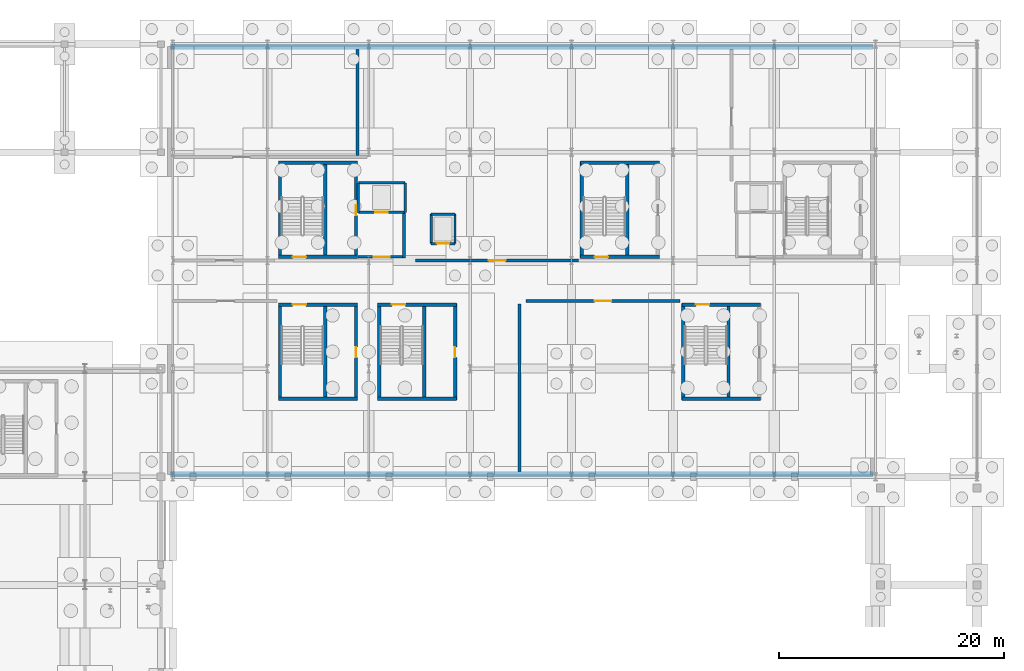
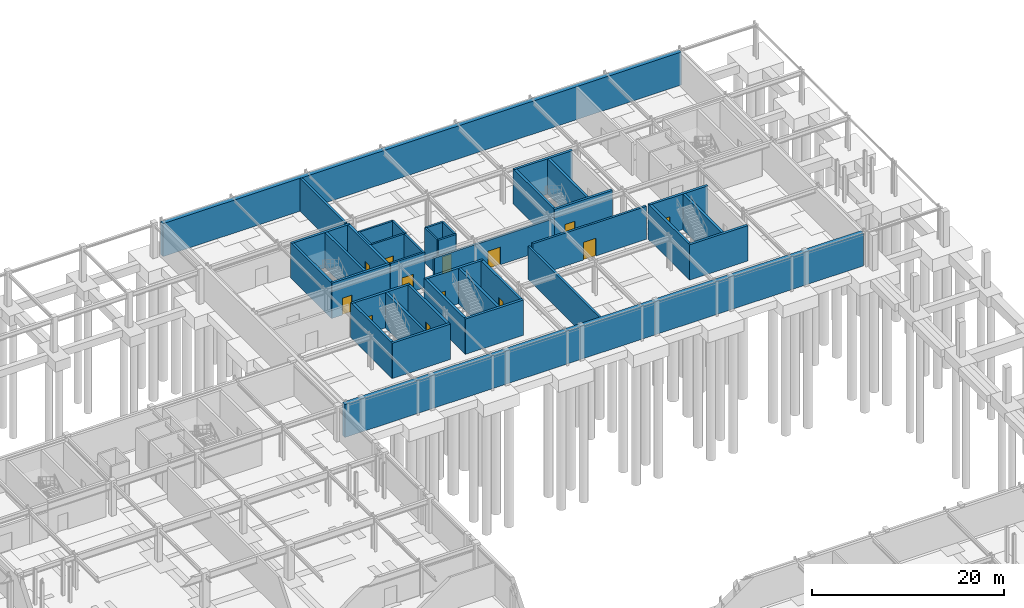
# One storey, part 45 of 59: 39 walls, 13 doors, 13 openings.
"""IFC4 building model written with IfcOpenShell, lengths in metres."""

from ifc_helpers import new_model, si_unit, direction, frame, frame_2d, origin, place, context, subcontext, project, spatial, rectangle, extrude, material, layer, layer_set, type_object, element, fill, save


model = new_model("IFC4")

# Units and contexts
model_context = context("Model", 3, precision=1e-05, world=origin(), true_north=direction((0.0, 1.0)))
body_context = subcontext(model_context, "Body", "Model", "MODEL_VIEW")
ifc_project = project(units=[si_unit("LENGTHUNIT", "METRE"), si_unit("AREAUNIT", "SQUARE_METRE"), si_unit("VOLUMEUNIT", "CUBIC_METRE"), si_unit("PLANEANGLEUNIT", "RADIAN"), si_unit("MASSUNIT", "GRAM", prefix="KILO")], contexts=[model_context])

# Site, building, storey
site_placement = place(None, origin())
site = spatial("IfcSite", under=ifc_project, at=site_placement, CompositionType="ELEMENT")
building_placement = place(site_placement, origin())
building = spatial("IfcBuilding", under=site, at=building_placement, Name="Myrtia Square Station", CompositionType="ELEMENT")
storey_placement = place(building_placement, frame((0.0, 0.0, -4.5)))
storey = spatial("IfcBuildingStorey", under=building, at=storey_placement, Name="B01", CompositionType="ELEMENT", Elevation=-4.5)

# Wall, opening, door
ifc_material_1 = material(Name="Concrete C35/45", Category="concrete")
ifc_layer_1 = layer(ifc_material_1, 0.300048828125, Name="Concrete C35/45")
ifc_layer_set_1 = layer_set([ifc_layer_1], Name="Concrete C35/45")
wall_type_1 = type_object("IfcWallType", Name="WL-CORE-300", PredefinedType="SHEAR", material=ifc_layer_set_1)
wall_1_placement = place(storey_placement, frame((127.0, 105.925048828125, 0.0), z_axis=(0.0, 0.0, 1.0), x_axis=(1.0, 0.0, 0.0)))
wall_1 = element("IfcWall", 1, at=wall_1_placement, inside=storey, type_object=wall_type_1, Name="Core K7 shear wall B01 S", PredefinedType="SHEAR", context=body_context, shape_type="SweptSolid", body=[
    extrude(rectangle(XDim=7.0, YDim=0.300048828125, at=frame_2d((3.5, 0.0))), origin(), (0.0, 0.0, 1.0), 4.5),
])
opening_1_placement = place(wall_1_placement, frame((1.25, 0.0, 0.0)))
opening_1 = element("IfcOpeningElement", 2, at=opening_1_placement, cuts=wall_1, Name="Opening SD-107", PredefinedType="OPENING", context=body_context, shape_type="SweptSolid", body=[
    extrude(rectangle(XDim=1.199951171875, YDim=2.14990234375, at=frame_2d((0.60009765625, 1.074951171875))), frame((0.0, 0.1650390625, 0.0), z_axis=(0.0, -1.0, 0.0), x_axis=(1.0, 0.0, 0.0)), (0.0, 0.0, 1.0), 0.330078125),
])
ifc_material_2 = material(Name="Dark bronze anodised aluminium", Category="aluminium")
door_type_1 = type_object("IfcDoorType", Name="DR-STAIR-1200x2150", OperationType="NOTDEFINED", PredefinedType="DOOR", material=ifc_material_2)
door_1_placement = place(opening_1_placement, origin())
door_1 = element("IfcDoor", 3, at=door_1_placement, inside=storey, type_object=door_type_1, Name="Protected stair fire door K7 B01", OperationType="SINGLE_SWING_LEFT", OverallHeight=2.14990234375, OverallWidth=1.199951171875, PredefinedType="DOOR", context=body_context, shape_type="SweptSolid", body=[
    extrude(rectangle(XDim=1.199951171875, YDim=2.14990234375, at=frame_2d((0.60009765625, 1.074951171875))), frame((0.0, 0.02490234375, 0.0), z_axis=(0.0, -1.0, 0.0), x_axis=(1.0, 0.0, 0.0)), (0.0, 0.0, 1.0), 0.050048828125),
])
fill(opening_1, door_1)

# Walls
wall_2_placement = place(storey_placement, frame((127.0, 114.27490234375, 0.0), z_axis=(0.0, 0.0, 1.0), x_axis=(1.0, 0.0, 0.0)))
element("IfcWall", 4, at=wall_2_placement, inside=storey, type_object=wall_type_1, Name="Core K7 shear wall B01 N", PredefinedType="SHEAR", context=body_context, shape_type="SweptSolid", body=[
    extrude(rectangle(XDim=7.0, YDim=0.300048828125, at=frame_2d((3.5, 0.0))), origin(), (0.0, 0.0, 1.0), 4.5),
])
wall_3_placement = place(storey_placement, frame((127.125, 105.800048828125, 0.0), z_axis=(0.0, 0.0, 1.0), x_axis=(0.0, 1.0, 0.0)))
element("IfcWall", 5, at=wall_3_placement, inside=storey, type_object=wall_type_1, Name="Core K7 shear wall B01 W", PredefinedType="SHEAR", context=body_context, shape_type="SweptSolid", body=[
    extrude(rectangle(XDim=8.599853515625, YDim=0.300048828125, at=frame_2d((4.2998046875, 0.0))), origin(), (0.0, 0.0, 1.0), 4.5),
])

# Wall, opening, door
wall_4_placement = place(storey_placement, frame((133.875, 105.800048828125, 0.0), z_axis=(0.0, 0.0, 1.0), x_axis=(0.0, 1.0, 0.0)))
wall_4 = element("IfcWall", 6, at=wall_4_placement, inside=storey, type_object=wall_type_1, Name="Core K7 shear wall B01 E", PredefinedType="SHEAR", context=body_context, shape_type="SweptSolid", body=[
    extrude(rectangle(XDim=8.599853515625, YDim=0.300048828125, at=frame_2d((4.2998046875, 0.0))), origin(), (0.0, 0.0, 1.0), 4.5),
])
opening_2_placement = place(wall_4_placement, frame((3.800048828125, 0.0, 0.0)))
opening_2 = element("IfcOpeningElement", 7, at=opening_2_placement, cuts=wall_4, Name="Opening RD-108", PredefinedType="OPENING", context=body_context, shape_type="SweptSolid", body=[
    extrude(rectangle(XDim=0.89990234375, YDim=2.050048828125, at=frame_2d((0.449951171875, 1.02490234375))), frame((0.0, 0.1650390625, 0.0), z_axis=(0.0, -1.0, 0.0), x_axis=(1.0, 0.0, 0.0)), (0.0, 0.0, 1.0), 0.330078125),
])
door_type_2 = type_object("IfcDoorType", Name="DR-RISER-900x2050", OperationType="NOTDEFINED", PredefinedType="DOOR", material=ifc_material_2)
door_2_placement = place(opening_2_placement, origin())
door_2 = element("IfcDoor", 8, at=door_2_placement, inside=storey, type_object=door_type_2, Name="Riser cupboard access door K7 B01", OperationType="SINGLE_SWING_RIGHT", OverallHeight=2.050048828125, OverallWidth=0.89990234375, PredefinedType="DOOR", context=body_context, shape_type="SweptSolid", body=[
    extrude(rectangle(XDim=0.89990234375, YDim=2.050048828125, at=frame_2d((0.449951171875, 1.02490234375))), frame((0.0, 0.02490234375, 0.0), z_axis=(0.0, -1.0, 0.0), x_axis=(1.0, 0.0, 0.0)), (0.0, 0.0, 1.0), 0.050048828125),
])
fill(opening_2, door_2)

# Walls
wall_5_placement = place(storey_placement, frame((131.139892578125, 106.0, 0.0), z_axis=(0.0, 0.0, 1.0), x_axis=(0.0, 1.0, 0.0)))
element("IfcWall", 9, at=wall_5_placement, inside=storey, type_object=wall_type_1, Name="Core K7 shear wall B01 D", PredefinedType="SHEAR", context=body_context, shape_type="SweptSolid", body=[
    extrude(rectangle(XDim=8.199951171875, YDim=0.300048828125, at=frame_2d((4.10009765625, 0.0))), origin(), (0.0, 0.0, 1.0), 4.5),
])
wall_6_placement = place(storey_placement, frame((127.0, 93.324951171875, 0.0), z_axis=(0.0, 0.0, 1.0), x_axis=(1.0, 0.0, 0.0)))
element("IfcWall", 10, at=wall_6_placement, inside=storey, type_object=wall_type_1, Name="Core K12 shear wall B01 S", PredefinedType="SHEAR", context=body_context, shape_type="SweptSolid", body=[
    extrude(rectangle(XDim=7.0, YDim=0.300048828125, at=frame_2d((3.5, 0.0))), origin(), (0.0, 0.0, 1.0), 4.5),
])

# Wall, opening, door
wall_7_placement = place(storey_placement, frame((127.0, 101.675048828125, 0.0), z_axis=(0.0, 0.0, 1.0), x_axis=(1.0, 0.0, 0.0)))
wall_7 = element("IfcWall", 11, at=wall_7_placement, inside=storey, type_object=wall_type_1, Name="Core K12 shear wall B01 N", PredefinedType="SHEAR", context=body_context, shape_type="SweptSolid", body=[
    extrude(rectangle(XDim=7.0, YDim=0.300048828125, at=frame_2d((3.5, 0.0))), origin(), (0.0, 0.0, 1.0), 4.5),
])
opening_3_placement = place(wall_7_placement, frame((1.25, 0.0, 0.0)))
opening_3 = element("IfcOpeningElement", 12, at=opening_3_placement, cuts=wall_7, Name="Opening SD-143", PredefinedType="OPENING", context=body_context, shape_type="SweptSolid", body=[
    extrude(rectangle(XDim=1.199951171875, YDim=2.14990234375, at=frame_2d((0.60009765625, 1.074951171875))), frame((0.0, 0.1650390625, 0.0), z_axis=(0.0, -1.0, 0.0), x_axis=(1.0, 0.0, 0.0)), (0.0, 0.0, 1.0), 0.330078125),
])
door_3_placement = place(opening_3_placement, frame((1.199951171875, 0.0, 0.0), z_axis=(0.0, 0.0, 1.0), x_axis=(-1.0, 0.0, 0.0)))
door_3 = element("IfcDoor", 13, at=door_3_placement, inside=storey, type_object=door_type_1, Name="Protected stair fire door K12 B01", OperationType="SINGLE_SWING_LEFT", OverallHeight=2.14990234375, OverallWidth=1.199951171875, PredefinedType="DOOR", context=body_context, shape_type="SweptSolid", body=[
    extrude(rectangle(XDim=1.199951171875, YDim=2.14990234375, at=frame_2d((0.60009765625, 1.074951171875))), frame((0.0, 0.02490234375, 0.0), z_axis=(0.0, -1.0, 0.0), x_axis=(1.0, 0.0, 0.0)), (0.0, 0.0, 1.0), 0.050048828125),
])
fill(opening_3, door_3)

# Wall
wall_8_placement = place(storey_placement, frame((127.125, 93.199951171875, 0.0), z_axis=(0.0, 0.0, 1.0), x_axis=(0.0, 1.0, 0.0)))
element("IfcWall", 14, at=wall_8_placement, inside=storey, type_object=wall_type_1, Name="Core K12 shear wall B01 W", PredefinedType="SHEAR", context=body_context, shape_type="SweptSolid", body=[
    extrude(rectangle(XDim=8.60009765625, YDim=0.300048828125, at=frame_2d((4.300048828125, 0.0))), origin(), (0.0, 0.0, 1.0), 4.5),
])

# Wall, opening, door
wall_9_placement = place(storey_placement, frame((133.875, 93.199951171875, 0.0), z_axis=(0.0, 0.0, 1.0), x_axis=(0.0, 1.0, 0.0)))
wall_9 = element("IfcWall", 15, at=wall_9_placement, inside=storey, type_object=wall_type_1, Name="Core K12 shear wall B01 E", PredefinedType="SHEAR", context=body_context, shape_type="SweptSolid", body=[
    extrude(rectangle(XDim=8.60009765625, YDim=0.300048828125, at=frame_2d((4.300048828125, 0.0))), origin(), (0.0, 0.0, 1.0), 4.5),
])
opening_4_placement = place(wall_9_placement, frame((3.800048828125, 0.0, 0.0)))
opening_4 = element("IfcOpeningElement", 16, at=opening_4_placement, cuts=wall_9, Name="Opening RD-144", PredefinedType="OPENING", context=body_context, shape_type="SweptSolid", body=[
    extrude(rectangle(XDim=0.89990234375, YDim=2.050048828125, at=frame_2d((0.449951171875, 1.02490234375))), frame((0.0, 0.1650390625, 0.0), z_axis=(0.0, -1.0, 0.0), x_axis=(1.0, 0.0, 0.0)), (0.0, 0.0, 1.0), 0.330078125),
])
door_4_placement = place(opening_4_placement, origin())
door_4 = element("IfcDoor", 17, at=door_4_placement, inside=storey, type_object=door_type_2, Name="Riser cupboard access door K12 B01", OperationType="SINGLE_SWING_RIGHT", OverallHeight=2.050048828125, OverallWidth=0.89990234375, PredefinedType="DOOR", context=body_context, shape_type="SweptSolid", body=[
    extrude(rectangle(XDim=0.89990234375, YDim=2.050048828125, at=frame_2d((0.449951171875, 1.02490234375))), frame((0.0, 0.02490234375, 0.0), z_axis=(0.0, -1.0, 0.0), x_axis=(1.0, 0.0, 0.0)), (0.0, 0.0, 1.0), 0.050048828125),
])
fill(opening_4, door_4)

# Walls
wall_10_placement = place(storey_placement, frame((131.139892578125, 93.39990234375, 0.0), z_axis=(0.0, 0.0, 1.0), x_axis=(0.0, 1.0, 0.0)))
element("IfcWall", 18, at=wall_10_placement, inside=storey, type_object=wall_type_1, Name="Core K12 shear wall B01 D", PredefinedType="SHEAR", context=body_context, shape_type="SweptSolid", body=[
    extrude(rectangle(XDim=8.2001953125, YDim=0.300048828125, at=frame_2d((4.10009765625, 0.0))), origin(), (0.0, 0.0, 1.0), 4.5),
])
wall_11_placement = place(storey_placement, frame((135.800048828125, 93.324951171875, 0.0), z_axis=(0.0, 0.0, 1.0), x_axis=(1.0, 0.0, 0.0)))
element("IfcWall", 19, at=wall_11_placement, inside=storey, type_object=wall_type_1, Name="Core K13 shear wall B01 S", PredefinedType="SHEAR", context=body_context, shape_type="SweptSolid", body=[
    extrude(rectangle(XDim=7.0, YDim=0.300048828125, at=frame_2d((3.5, 0.0))), origin(), (0.0, 0.0, 1.0), 4.5),
])

# Wall, opening, door
wall_12_placement = place(storey_placement, frame((135.800048828125, 101.675048828125, 0.0), z_axis=(0.0, 0.0, 1.0), x_axis=(1.0, 0.0, 0.0)))
wall_12 = element("IfcWall", 20, at=wall_12_placement, inside=storey, type_object=wall_type_1, Name="Core K13 shear wall B01 N", PredefinedType="SHEAR", context=body_context, shape_type="SweptSolid", body=[
    extrude(rectangle(XDim=7.0, YDim=0.300048828125, at=frame_2d((3.5, 0.0))), origin(), (0.0, 0.0, 1.0), 4.5),
])
opening_5_placement = place(wall_12_placement, frame((1.25, 0.0, 0.0)))
opening_5 = element("IfcOpeningElement", 21, at=opening_5_placement, cuts=wall_12, Name="Opening SD-153", PredefinedType="OPENING", context=body_context, shape_type="SweptSolid", body=[
    extrude(rectangle(XDim=1.199951171875, YDim=2.14990234375, at=frame_2d((0.60009765625, 1.074951171875))), frame((0.0, 0.1650390625, 0.0), z_axis=(0.0, -1.0, 0.0), x_axis=(1.0, 0.0, 0.0)), (0.0, 0.0, 1.0), 0.330078125),
])
door_5_placement = place(opening_5_placement, frame((1.199951171875, 0.0, 0.0), z_axis=(0.0, 0.0, 1.0), x_axis=(-1.0, 0.0, 0.0)))
door_5 = element("IfcDoor", 22, at=door_5_placement, inside=storey, type_object=door_type_1, Name="Protected stair fire door K13 B01", OperationType="SINGLE_SWING_LEFT", OverallHeight=2.14990234375, OverallWidth=1.199951171875, PredefinedType="DOOR", context=body_context, shape_type="SweptSolid", body=[
    extrude(rectangle(XDim=1.199951171875, YDim=2.14990234375, at=frame_2d((0.60009765625, 1.074951171875))), frame((0.0, 0.02490234375, 0.0), z_axis=(0.0, -1.0, 0.0), x_axis=(1.0, 0.0, 0.0)), (0.0, 0.0, 1.0), 0.050048828125),
])
fill(opening_5, door_5)

# Wall
wall_13_placement = place(storey_placement, frame((135.925048828125, 93.199951171875, 0.0), z_axis=(0.0, 0.0, 1.0), x_axis=(0.0, 1.0, 0.0)))
element("IfcWall", 23, at=wall_13_placement, inside=storey, type_object=wall_type_1, Name="Core K13 shear wall B01 W", PredefinedType="SHEAR", context=body_context, shape_type="SweptSolid", body=[
    extrude(rectangle(XDim=8.60009765625, YDim=0.300048828125, at=frame_2d((4.300048828125, 0.0))), origin(), (0.0, 0.0, 1.0), 4.5),
])

# Wall, opening, door
wall_14_placement = place(storey_placement, frame((142.675048828125, 93.199951171875, 0.0), z_axis=(0.0, 0.0, 1.0), x_axis=(0.0, 1.0, 0.0)))
wall_14 = element("IfcWall", 24, at=wall_14_placement, inside=storey, type_object=wall_type_1, Name="Core K13 shear wall B01 E", PredefinedType="SHEAR", context=body_context, shape_type="SweptSolid", body=[
    extrude(rectangle(XDim=8.60009765625, YDim=0.300048828125, at=frame_2d((4.300048828125, 0.0))), origin(), (0.0, 0.0, 1.0), 4.5),
])
opening_6_placement = place(wall_14_placement, frame((3.800048828125, 0.0, 0.0)))
opening_6 = element("IfcOpeningElement", 25, at=opening_6_placement, cuts=wall_14, Name="Opening RD-154", PredefinedType="OPENING", context=body_context, shape_type="SweptSolid", body=[
    extrude(rectangle(XDim=0.89990234375, YDim=2.050048828125, at=frame_2d((0.449951171875, 1.02490234375))), frame((0.0, 0.1650390625, 0.0), z_axis=(0.0, -1.0, 0.0), x_axis=(1.0, 0.0, 0.0)), (0.0, 0.0, 1.0), 0.330078125),
])
door_6_placement = place(opening_6_placement, origin())
door_6 = element("IfcDoor", 26, at=door_6_placement, inside=storey, type_object=door_type_2, Name="Riser cupboard access door K13 B01", OperationType="SINGLE_SWING_RIGHT", OverallHeight=2.050048828125, OverallWidth=0.89990234375, PredefinedType="DOOR", context=body_context, shape_type="SweptSolid", body=[
    extrude(rectangle(XDim=0.89990234375, YDim=2.050048828125, at=frame_2d((0.449951171875, 1.02490234375))), frame((0.0, 0.02490234375, 0.0), z_axis=(0.0, -1.0, 0.0), x_axis=(1.0, 0.0, 0.0)), (0.0, 0.0, 1.0), 0.050048828125),
])
fill(opening_6, door_6)

# Wall
wall_15_placement = place(storey_placement, frame((139.93994140625, 93.39990234375, 0.0), z_axis=(0.0, 0.0, 1.0), x_axis=(0.0, 1.0, 0.0)))
element("IfcWall", 27, at=wall_15_placement, inside=storey, type_object=wall_type_1, Name="Core K13 shear wall B01 D", PredefinedType="SHEAR", context=body_context, shape_type="SweptSolid", body=[
    extrude(rectangle(XDim=8.2001953125, YDim=0.300048828125, at=frame_2d((4.10009765625, 0.0))), origin(), (0.0, 0.0, 1.0), 4.5),
])

# Wall, opening, door
wall_16_placement = place(storey_placement, frame((153.800048828125, 105.925048828125, 0.0), z_axis=(0.0, 0.0, 1.0), x_axis=(1.0, 0.0, 0.0)))
wall_16 = element("IfcWall", 28, at=wall_16_placement, inside=storey, type_object=wall_type_1, Name="Core K15 shear wall B01 S", PredefinedType="SHEAR", context=body_context, shape_type="SweptSolid", body=[
    extrude(rectangle(XDim=7.0, YDim=0.300048828125, at=frame_2d((3.5, 0.0))), origin(), (0.0, 0.0, 1.0), 4.5),
])
opening_7_placement = place(wall_16_placement, frame((1.25, 0.0, 0.0)))
opening_7 = element("IfcOpeningElement", 29, at=opening_7_placement, cuts=wall_16, Name="Opening SD-163", PredefinedType="OPENING", context=body_context, shape_type="SweptSolid", body=[
    extrude(rectangle(XDim=1.199951171875, YDim=2.14990234375, at=frame_2d((0.60009765625, 1.074951171875))), frame((0.0, 0.1650390625, 0.0), z_axis=(0.0, -1.0, 0.0), x_axis=(1.0, 0.0, 0.0)), (0.0, 0.0, 1.0), 0.330078125),
])
door_7_placement = place(opening_7_placement, origin())
door_7 = element("IfcDoor", 30, at=door_7_placement, inside=storey, type_object=door_type_1, Name="Protected stair fire door K15 B01", OperationType="SINGLE_SWING_LEFT", OverallHeight=2.14990234375, OverallWidth=1.199951171875, PredefinedType="DOOR", context=body_context, shape_type="SweptSolid", body=[
    extrude(rectangle(XDim=1.199951171875, YDim=2.14990234375, at=frame_2d((0.60009765625, 1.074951171875))), frame((0.0, 0.02490234375, 0.0), z_axis=(0.0, -1.0, 0.0), x_axis=(1.0, 0.0, 0.0)), (0.0, 0.0, 1.0), 0.050048828125),
])
fill(opening_7, door_7)

# Walls
wall_17_placement = place(storey_placement, frame((153.800048828125, 114.27490234375, 0.0), z_axis=(0.0, 0.0, 1.0), x_axis=(1.0, 0.0, 0.0)))
element("IfcWall", 31, at=wall_17_placement, inside=storey, type_object=wall_type_1, Name="Core K15 shear wall B01 N", PredefinedType="SHEAR", context=body_context, shape_type="SweptSolid", body=[
    extrude(rectangle(XDim=7.0, YDim=0.300048828125, at=frame_2d((3.5, 0.0))), origin(), (0.0, 0.0, 1.0), 4.5),
])
wall_18_placement = place(storey_placement, frame((153.925048828125, 105.800048828125, 0.0), z_axis=(0.0, 0.0, 1.0), x_axis=(0.0, 1.0, 0.0)))
element("IfcWall", 32, at=wall_18_placement, inside=storey, type_object=wall_type_1, Name="Core K15 shear wall B01 W", PredefinedType="SHEAR", context=body_context, shape_type="SweptSolid", body=[
    extrude(rectangle(XDim=8.599853515625, YDim=0.300048828125, at=frame_2d((4.2998046875, 0.0))), origin(), (0.0, 0.0, 1.0), 4.5),
])
wall_19_placement = place(storey_placement, frame((157.93994140625, 106.0, 0.0), z_axis=(0.0, 0.0, 1.0), x_axis=(0.0, 1.0, 0.0)))
element("IfcWall", 33, at=wall_19_placement, inside=storey, type_object=wall_type_1, Name="Core K15 shear wall B01 D", PredefinedType="SHEAR", context=body_context, shape_type="SweptSolid", body=[
    extrude(rectangle(XDim=8.199951171875, YDim=0.300048828125, at=frame_2d((4.10009765625, 0.0))), origin(), (0.0, 0.0, 1.0), 4.5),
])
wall_20_placement = place(storey_placement, frame((162.800048828125, 93.324951171875, 0.0), z_axis=(0.0, 0.0, 1.0), x_axis=(1.0, 0.0, 0.0)))
element("IfcWall", 34, at=wall_20_placement, inside=storey, type_object=wall_type_1, Name="Core K16 shear wall B01 S", PredefinedType="SHEAR", context=body_context, shape_type="SweptSolid", body=[
    extrude(rectangle(XDim=7.0, YDim=0.300048828125, at=frame_2d((3.5, 0.0))), origin(), (0.0, 0.0, 1.0), 4.5),
])

# Wall, opening, door
wall_21_placement = place(storey_placement, frame((162.800048828125, 101.675048828125, 0.0), z_axis=(0.0, 0.0, 1.0), x_axis=(1.0, 0.0, 0.0)))
wall_21 = element("IfcWall", 35, at=wall_21_placement, inside=storey, type_object=wall_type_1, Name="Core K16 shear wall B01 N", PredefinedType="SHEAR", context=body_context, shape_type="SweptSolid", body=[
    extrude(rectangle(XDim=7.0, YDim=0.300048828125, at=frame_2d((3.5, 0.0))), origin(), (0.0, 0.0, 1.0), 4.5),
])
opening_8_placement = place(wall_21_placement, frame((1.25, 0.0, 0.0)))
opening_8 = element("IfcOpeningElement", 36, at=opening_8_placement, cuts=wall_21, Name="Opening SD-175", PredefinedType="OPENING", context=body_context, shape_type="SweptSolid", body=[
    extrude(rectangle(XDim=1.199951171875, YDim=2.14990234375, at=frame_2d((0.60009765625, 1.074951171875))), frame((0.0, 0.1650390625, 0.0), z_axis=(0.0, -1.0, 0.0), x_axis=(1.0, 0.0, 0.0)), (0.0, 0.0, 1.0), 0.330078125),
])
door_8_placement = place(opening_8_placement, frame((1.199951171875, 0.0, 0.0), z_axis=(0.0, 0.0, 1.0), x_axis=(-1.0, 0.0, 0.0)))
door_8 = element("IfcDoor", 37, at=door_8_placement, inside=storey, type_object=door_type_1, Name="Protected stair fire door K16 B01", OperationType="SINGLE_SWING_LEFT", OverallHeight=2.14990234375, OverallWidth=1.199951171875, PredefinedType="DOOR", context=body_context, shape_type="SweptSolid", body=[
    extrude(rectangle(XDim=1.199951171875, YDim=2.14990234375, at=frame_2d((0.60009765625, 1.074951171875))), frame((0.0, 0.02490234375, 0.0), z_axis=(0.0, -1.0, 0.0), x_axis=(1.0, 0.0, 0.0)), (0.0, 0.0, 1.0), 0.050048828125),
])
fill(opening_8, door_8)

# Walls
wall_22_placement = place(storey_placement, frame((162.925048828125, 93.199951171875, 0.0), z_axis=(0.0, 0.0, 1.0), x_axis=(0.0, 1.0, 0.0)))
element("IfcWall", 38, at=wall_22_placement, inside=storey, type_object=wall_type_1, Name="Core K16 shear wall B01 W", PredefinedType="SHEAR", context=body_context, shape_type="SweptSolid", body=[
    extrude(rectangle(XDim=8.60009765625, YDim=0.300048828125, at=frame_2d((4.300048828125, 0.0))), origin(), (0.0, 0.0, 1.0), 4.5),
])
wall_23_placement = place(storey_placement, frame((166.93994140625, 93.39990234375, 0.0), z_axis=(0.0, 0.0, 1.0), x_axis=(0.0, 1.0, 0.0)))
element("IfcWall", 39, at=wall_23_placement, inside=storey, type_object=wall_type_1, Name="Core K16 shear wall B01 D", PredefinedType="SHEAR", context=body_context, shape_type="SweptSolid", body=[
    extrude(rectangle(XDim=8.2001953125, YDim=0.300048828125, at=frame_2d((4.10009765625, 0.0))), origin(), (0.0, 0.0, 1.0), 4.5),
])
ifc_layer_2 = layer(ifc_material_1, 0.239990234375, Name="Concrete C35/45")
ifc_layer_set_2 = layer_set([ifc_layer_2], Name="Concrete C35/45")
wall_type_2 = type_object("IfcWallType", Name="WL-FFL-240", PredefinedType="SHEAR", material=ifc_layer_set_2)
wall_24_placement = place(storey_placement, frame((138.1298828125, 105.800048828125, 0.0), z_axis=(0.0, 0.0, 1.0), x_axis=(0.0, 1.0, 0.0)))
element("IfcWall", 40, at=wall_24_placement, inside=storey, type_object=wall_type_2, Name="Firefighting lift lobby EI 120 wall K7 B01 E", PredefinedType="SHEAR", context=body_context, shape_type="SweptSolid", body=[
    extrude(rectangle(XDim=4.0, YDim=0.239990234375, at=frame_2d((2.0, 0.0))), origin(), (0.0, 0.0, 1.0), 4.5),
])

# Wall, opening, door
wall_25_placement = place(storey_placement, frame((134.050048828125, 105.919921875, 0.0), z_axis=(0.0, 0.0, 1.0), x_axis=(1.0, 0.0, 0.0)))
wall_25 = element("IfcWall", 41, at=wall_25_placement, inside=storey, type_object=wall_type_2, Name="Firefighting lift lobby EI 120 wall K7 B01 S", PredefinedType="SHEAR", context=body_context, shape_type="SweptSolid", body=[
    extrude(rectangle(XDim=4.199951171875, YDim=0.239990234375, at=frame_2d((2.10009765625, 0.0))), origin(), (0.0, 0.0, 1.0), 4.5),
])
opening_9_placement = place(wall_25_placement, frame((1.39990234375, 0.0, 0.0)))
opening_9 = element("IfcOpeningElement", 42, at=opening_9_placement, cuts=wall_25, Name="Opening FD-109", PredefinedType="OPENING", context=body_context, shape_type="SweptSolid", body=[
    extrude(rectangle(XDim=1.39990234375, YDim=2.199951171875, at=frame_2d((0.699951171875, 1.10009765625))), frame((0.0, 0.135009765625, 0.0), z_axis=(0.0, -1.0, 0.0), x_axis=(1.0, 0.0, 0.0)), (0.0, 0.0, 1.0), 0.27001953125),
])
door_type_3 = type_object("IfcDoorType", Name="DR-FFL-1400x2200", OperationType="NOTDEFINED", PredefinedType="DOOR", material=ifc_material_2)
door_9_placement = place(opening_9_placement, frame((1.39990234375, 0.0, 0.0), z_axis=(0.0, 0.0, 1.0), x_axis=(-1.0, 0.0, 0.0)))
door_9 = element("IfcDoor", 43, at=door_9_placement, inside=storey, type_object=door_type_3, Name="Firefighting lobby fire door K7 B01", OperationType="SINGLE_SWING_LEFT", OverallHeight=2.199951171875, OverallWidth=1.39990234375, PredefinedType="DOOR", context=body_context, shape_type="SweptSolid", body=[
    extrude(rectangle(XDim=1.39990234375, YDim=2.199951171875, at=frame_2d((0.699951171875, 1.10009765625))), frame((0.0, 0.02490234375, 0.0), z_axis=(0.0, -1.0, 0.0), x_axis=(1.0, 0.0, 0.0)), (0.0, 0.0, 1.0), 0.050048828125),
])
fill(opening_9, door_9)

ifc_layer_3 = layer(ifc_material_1, 0.219970703125, Name="Concrete C35/45")
ifc_layer_set_3 = layer_set([ifc_layer_3], Name="Concrete C35/45")
wall_type_3 = type_object("IfcWallType", Name="WL-LIFT-220", PredefinedType="SHEAR", material=ifc_layer_set_3)
wall_26_placement = place(storey_placement, frame((140.5400390625, 107.090087890625, 0.0), z_axis=(0.0, 0.0, 1.0), x_axis=(1.0, 0.0, 0.0)))
wall_26 = element("IfcWall", 44, at=wall_26_placement, inside=storey, type_object=wall_type_3, Name="Lift shaft wall PL-08 B01 -Y", PredefinedType="SHEAR", context=body_context, shape_type="SweptSolid", body=[
    extrude(rectangle(XDim=2.119873046875, YDim=0.219970703125, at=frame_2d((1.06005859375, 0.0))), origin(), (0.0, 0.0, 1.0), 4.5),
])
opening_10_placement = place(wall_26_placement, frame((0.510009765625, 0.0, 0.0)))
opening_10 = element("IfcOpeningElement", 45, at=opening_10_placement, cuts=wall_26, Name="Opening LD-PL-08", PredefinedType="OPENING", context=body_context, shape_type="SweptSolid", body=[
    extrude(rectangle(XDim=1.10009765625, YDim=2.14990234375, at=frame_2d((0.550048828125, 1.074951171875))), frame((0.0, 0.125, 0.0), z_axis=(0.0, -1.0, 0.0), x_axis=(1.0, 0.0, 0.0)), (0.0, 0.0, 1.0), 0.25),
])
door_type_4 = type_object("IfcDoorType", Name="DR-LIFT-1100x2150", OperationType="NOTDEFINED", PredefinedType="DOOR", material=ifc_material_2)
door_10_placement = place(opening_10_placement, origin())
door_10 = element("IfcDoor", 46, at=door_10_placement, inside=storey, type_object=door_type_4, Name="Lift landing door PL-08 B01", OperationType="SLIDING_TO_RIGHT", OverallHeight=2.14990234375, OverallWidth=1.10009765625, PredefinedType="DOOR", context=body_context, shape_type="SweptSolid", body=[
    extrude(rectangle(XDim=1.10009765625, YDim=2.14990234375, at=frame_2d((0.550048828125, 1.074951171875))), frame((0.0, 0.02490234375, 0.0), z_axis=(0.0, -1.0, 0.0), x_axis=(1.0, 0.0, 0.0)), (0.0, 0.0, 1.0), 0.050048828125),
])
fill(opening_10, door_10)

# Walls
wall_27_placement = place(storey_placement, frame((140.5400390625, 109.7099609375, 0.0), z_axis=(0.0, 0.0, 1.0), x_axis=(1.0, 0.0, 0.0)))
element("IfcWall", 47, at=wall_27_placement, inside=storey, type_object=wall_type_3, Name="Lift shaft wall PL-08 B01 +Y", PredefinedType="SHEAR", context=body_context, shape_type="SweptSolid", body=[
    extrude(rectangle(XDim=2.119873046875, YDim=0.219970703125, at=frame_2d((1.06005859375, 0.0))), origin(), (0.0, 0.0, 1.0), 4.5),
])
for number, where, z_axis, x_axis, name in (
    (48, (140.5400390625, 107.090087890625, 0.0), (0.0, 0.0, 1.0), (0.0, 1.0, 0.0), "Lift shaft wall PL-08 B01 -X"),
    (49, (142.659912109375, 107.090087890625, 0.0), (0.0, 0.0, 1.0), (0.0, 1.0, 0.0), "Lift shaft wall PL-08 B01 +X"),
):
    element("IfcWall", number, at=place(storey_placement, frame(where, z_axis=z_axis, x_axis=x_axis)), inside=storey, type_object=wall_type_3, Name=name, PredefinedType="SHEAR", context=body_context, shape_type="SweptSolid", body=[
        extrude(rectangle(XDim=2.619873046875, YDim=0.219970703125, at=frame_2d((1.31005859375, 0.0))), origin(), (0.0, 0.0, 1.0), 4.5),
    ])

# Wall, opening, door
wall_28_placement = place(storey_placement, frame((134.070068359375, 109.8798828125, 0.0), z_axis=(0.0, 0.0, 1.0), x_axis=(1.0, 0.0, 0.0)))
wall_28 = element("IfcWall", 50, at=wall_28_placement, inside=storey, type_object=wall_type_3, Name="Lift shaft wall FFL-03 B01 -Y", PredefinedType="SHEAR", context=body_context, shape_type="SweptSolid", body=[
    extrude(rectangle(XDim=4.159912109375, YDim=0.219970703125, at=frame_2d((2.080078125, 0.0))), origin(), (0.0, 0.0, 1.0), 4.5),
])
opening_11_placement = place(wall_28_placement, frame((1.530029296875, 0.0, 0.0)))
opening_11 = element("IfcOpeningElement", 51, at=opening_11_placement, cuts=wall_28, Name="Opening LD-FFL-03", PredefinedType="OPENING", context=body_context, shape_type="SweptSolid", body=[
    extrude(rectangle(XDim=1.10009765625, YDim=2.14990234375, at=frame_2d((0.550048828125, 1.074951171875))), frame((0.0, 0.125, 0.0), z_axis=(0.0, -1.0, 0.0), x_axis=(1.0, 0.0, 0.0)), (0.0, 0.0, 1.0), 0.25),
])
door_11_placement = place(opening_11_placement, origin())
door_11 = element("IfcDoor", 52, at=door_11_placement, inside=storey, type_object=door_type_4, Name="Lift landing door FFL-03 B01", OperationType="SLIDING_TO_RIGHT", OverallHeight=2.14990234375, OverallWidth=1.10009765625, PredefinedType="DOOR", context=body_context, shape_type="SweptSolid", body=[
    extrude(rectangle(XDim=1.10009765625, YDim=2.14990234375, at=frame_2d((0.550048828125, 1.074951171875))), frame((0.0, 0.02490234375, 0.0), z_axis=(0.0, -1.0, 0.0), x_axis=(1.0, 0.0, 0.0)), (0.0, 0.0, 1.0), 0.050048828125),
])
fill(opening_11, door_11)

# Walls
wall_29_placement = place(storey_placement, frame((134.070068359375, 112.5, 0.0), z_axis=(0.0, 0.0, 1.0), x_axis=(1.0, 0.0, 0.0)))
element("IfcWall", 53, at=wall_29_placement, inside=storey, type_object=wall_type_3, Name="Lift shaft wall FFL-03 B01 +Y", PredefinedType="SHEAR", context=body_context, shape_type="SweptSolid", body=[
    extrude(rectangle(XDim=4.159912109375, YDim=0.219970703125, at=frame_2d((2.080078125, 0.0))), origin(), (0.0, 0.0, 1.0), 4.5),
])
for number, where, z_axis, x_axis, name in (
    (54, (134.070068359375, 109.8798828125, 0.0), (0.0, 0.0, 1.0), (0.0, 1.0, 0.0), "Lift shaft wall FFL-03 B01 -X"),
    (55, (138.22998046875, 109.8798828125, 0.0), (0.0, 0.0, 1.0), (0.0, 1.0, 0.0), "Lift shaft wall FFL-03 B01 +X"),
):
    element("IfcWall", number, at=place(storey_placement, frame(where, z_axis=z_axis, x_axis=x_axis)), inside=storey, type_object=wall_type_3, Name=name, PredefinedType="SHEAR", context=body_context, shape_type="SweptSolid", body=[
        extrude(rectangle(XDim=2.6201171875, YDim=0.219970703125, at=frame_2d((1.31005859375, 0.0))), origin(), (0.0, 0.0, 1.0), 4.5),
    ])

# Wall, opening, door
ifc_material_3 = material(Name="Cream lime stucco on clay brick masonry", Category="masonry")
ifc_layer_4 = layer(ifc_material_3, 0.260009765625, Name="Cream lime stucco on clay brick masonry")
ifc_layer_set_4 = layer_set([ifc_layer_4], Name="Cream lime stucco on clay brick masonry")
wall_type_4 = type_object("IfcWallType", Name="WL-PART-260", PredefinedType="PARTITIONING", material=ifc_layer_set_4)
wall_30_placement = place(storey_placement, frame((148.949951171875, 102.0, 0.0), z_axis=(0.0, 0.0, 1.0), x_axis=(1.0, 0.0, 0.0)))
wall_30 = element("IfcWall", 56, at=wall_30_placement, inside=storey, type_object=wall_type_4, Name="Interior partition wall B01-12", PredefinedType="PARTITIONING", context=body_context, shape_type="SweptSolid", body=[
    extrude(rectangle(XDim=13.68994140625, YDim=0.260009765625, at=frame_2d((6.844970703125, 0.0))), origin(), (0.0, 0.0, 1.0), 4.199951171875),
])
opening_12_placement = place(wall_30_placement, frame((6.094970703125, 0.0, 0.0)))
opening_12 = element("IfcOpeningElement", 57, at=opening_12_placement, cuts=wall_30, Name="Opening D-209", PredefinedType="OPENING", context=body_context, shape_type="SweptSolid", body=[
    extrude(rectangle(XDim=1.5, YDim=2.25, at=frame_2d((0.75, 1.125))), frame((0.0, 0.14501953125, 0.0), z_axis=(0.0, -1.0, 0.0), x_axis=(1.0, 0.0, 0.0)), (0.0, 0.0, 1.0), 0.2900390625),
])
door_type_5 = type_object("IfcDoorType", Name="DR-PLANT-1500x2250", OperationType="NOTDEFINED", PredefinedType="DOOR", material=ifc_material_2)
door_12_placement = place(opening_12_placement, origin())
door_12 = element("IfcDoor", 58, at=door_12_placement, inside=storey, type_object=door_type_5, Name="Medium Voltage Electrical Substation door D-209", OperationType="SINGLE_SWING_LEFT", OverallHeight=2.25, OverallWidth=1.5, PredefinedType="DOOR", context=body_context, shape_type="SweptSolid", body=[
    extrude(rectangle(XDim=1.5, YDim=2.25, at=frame_2d((0.75, 1.125))), frame((0.0, 0.02490234375, 0.0), z_axis=(0.0, -1.0, 0.0), x_axis=(1.0, 0.0, 0.0)), (0.0, 0.0, 1.0), 0.050048828125),
])
fill(opening_12, door_12)

wall_31_placement = place(storey_placement, frame((139.14990234375, 105.60009765625, 0.0), z_axis=(0.0, 0.0, 1.0), x_axis=(1.0, 0.0, 0.0)))
wall_31 = element("IfcWall", 59, at=wall_31_placement, inside=storey, type_object=wall_type_4, Name="Interior partition wall B01-13", PredefinedType="PARTITIONING", context=body_context, shape_type="SweptSolid", body=[
    extrude(rectangle(XDim=14.489990234375, YDim=0.260009765625, at=frame_2d((7.2451171875, 0.0))), origin(), (0.0, 0.0, 1.0), 3.610107421875),
])
opening_13_placement = place(wall_31_placement, frame((6.4951171875, 0.0, 0.0)))
opening_13 = element("IfcOpeningElement", 60, at=opening_13_placement, cuts=wall_31, Name="Opening D-210", PredefinedType="OPENING", context=body_context, shape_type="SweptSolid", body=[
    extrude(rectangle(XDim=1.5, YDim=2.25, at=frame_2d((0.75, 1.125))), frame((0.0, 0.14501953125, 0.0), z_axis=(0.0, -1.0, 0.0), x_axis=(1.0, 0.0, 0.0)), (0.0, 0.0, 1.0), 0.2900390625),
])
door_13_placement = place(opening_13_placement, frame((1.5, 0.0, 0.0), z_axis=(0.0, 0.0, 1.0), x_axis=(-1.0, 0.0, 0.0)))
door_13 = element("IfcDoor", 61, at=door_13_placement, inside=storey, type_object=door_type_5, Name="Sprinkler Water Reserve Tank and Fire Pump Room door D-210", OperationType="SINGLE_SWING_RIGHT", OverallHeight=2.25, OverallWidth=1.5, PredefinedType="DOOR", context=body_context, shape_type="SweptSolid", body=[
    extrude(rectangle(XDim=1.5, YDim=2.25, at=frame_2d((0.75, 1.125))), frame((0.0, 0.02490234375, 0.0), z_axis=(0.0, -1.0, 0.0), x_axis=(1.0, 0.0, 0.0)), (0.0, 0.0, 1.0), 0.050048828125),
])
fill(opening_13, door_13)

# Walls
wall_32_placement = place(storey_placement, frame((148.39990234375, 86.875, 0.0), z_axis=(0.0, 0.0, 1.0), x_axis=(0.0, 1.0, 0.0)))
element("IfcWall", 62, at=wall_32_placement, inside=storey, type_object=wall_type_4, Name="Room divider partition B01-11", PredefinedType="PARTITIONING", context=body_context, shape_type="SweptSolid", body=[
    extrude(rectangle(XDim=14.875, YDim=0.260009765625, at=frame_2d((7.4375, 0.0))), origin(), (0.0, 0.0, 1.0), 4.199951171875),
])
wall_33_placement = place(storey_placement, frame((134.0, 114.93505859375, 0.0), z_axis=(0.0, 0.0, 1.0), x_axis=(0.0, 1.0, 0.0)))
element("IfcWall", 63, at=wall_33_placement, inside=storey, type_object=wall_type_4, Name="Room divider partition B01-14", PredefinedType="PARTITIONING", context=body_context, shape_type="SweptSolid", body=[
    extrude(rectangle(XDim=9.389892578125, YDim=0.260009765625, at=frame_2d((4.69482421875, 0.0))), origin(), (0.0, 0.0, 1.0), 4.199951171875),
])
ifc_layer_5 = layer(ifc_material_1, 0.5, Name="Concrete C35/45")
ifc_layer_set_5 = layer_set([ifc_layer_5], Name="Concrete C35/45")
wall_type_5 = type_object("IfcWallType", Name="WL-RET-500", PredefinedType="SHEAR", material=ifc_layer_set_5)
for number, where, z_axis, x_axis, name in (
    (64, (117.3798828125, 86.6201171875, 0.0), (0.0, 0.0, 1.0), (1.0, 0.0, 0.0), "Basement retaining wall V5-09"),
    (65, (179.780029296875, 124.580078125, 0.0), (0.0, 0.0, 1.0), (-1.0, 0.0, 0.0), "Basement retaining wall V5-11"),
):
    element("IfcWall", number, at=place(storey_placement, frame(where, z_axis=z_axis, x_axis=x_axis)), inside=storey, type_object=wall_type_5, Name=name, PredefinedType="SHEAR", context=body_context, shape_type="SweptSolid", body=[
        extrude(rectangle(XDim=62.400146484375, YDim=0.5, at=frame_2d((31.2001953125, 0.0))), origin(), (0.0, 0.0, 1.0), 4.199951171875),
    ])

save(model, "model.ifc")
